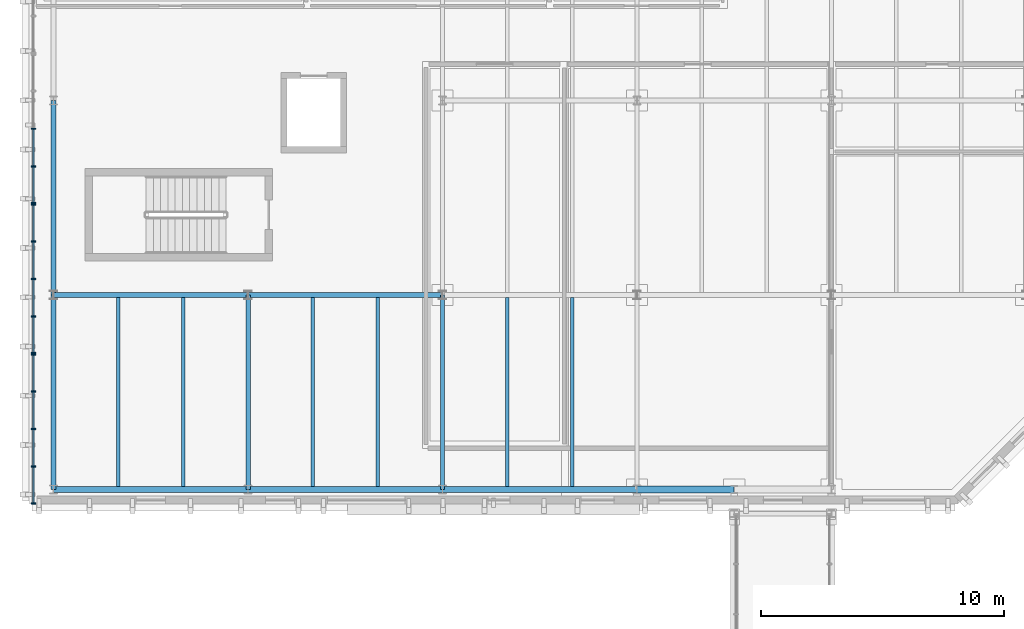
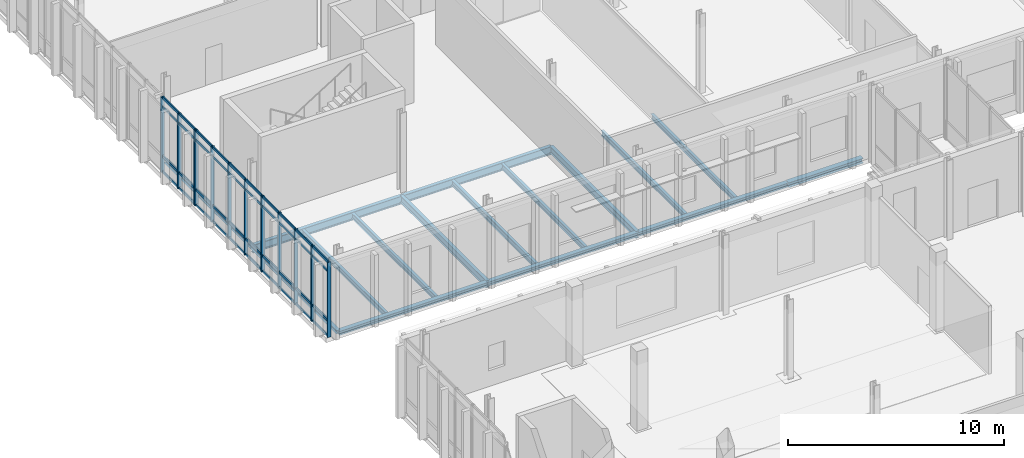
# One storey, part 37 of 100: 53 members, 16 beams, 3 elements without a shape of their own.
"""IFC4 building model written with IfcOpenShell, lengths in metres."""

from ifc_helpers import new_model, si_unit, direction, frame, origin, origin_2d, place, context, subcontext, project, spatial, rectangle, i_section, extrude, material, material_profile, profile_set, type_object, element, aggregate, save


model = new_model("IFC4")

# Units and contexts
model_context = context("Model", 3, precision=1e-05, world=origin(), true_north=direction((0.0, 1.0)))
body_context = subcontext(model_context, "Body", "Model", "MODEL_VIEW")
ifc_project = project(units=[si_unit("LENGTHUNIT", "METRE"), si_unit("AREAUNIT", "SQUARE_METRE"), si_unit("VOLUMEUNIT", "CUBIC_METRE"), si_unit("PLANEANGLEUNIT", "RADIAN"), si_unit("MASSUNIT", "GRAM", prefix="KILO")], contexts=[model_context])

# Site, building, storey
site_placement = place(None, origin())
site = spatial("IfcSite", under=ifc_project, at=site_placement, CompositionType="ELEMENT")
building_placement = place(site_placement, origin())
building = spatial("IfcBuilding", under=site, at=building_placement, Name="Cymarion Research Institute", CompositionType="ELEMENT")
storey_placement = place(building_placement, frame((0.0, 0.0, 9.300048828125)))
storey = spatial("IfcBuildingStorey", under=building, at=storey_placement, Name="L02", CompositionType="ELEMENT", Elevation=9.300048828125)

# Curtain wall, members
ifc_material_1 = material(Name="Anodised aluminium unitised curtain wall with Low-E glazing", Category="aluminium")
curtain_wall_type = type_object("IfcCurtainWallType", Name="UNITISED CURTAIN WALL CW22 6180X4250", PredefinedType="NOTDEFINED", material=ifc_material_1)
curtain_wall_1_placement = place(storey_placement, origin())
curtain_wall_1 = element("IfcCurtainWall", 1, at=curtain_wall_1_placement, inside=storey, type_object=curtain_wall_type, Name="L02 V5 unitised curtain wall CW22 #112", PredefinedType="NOTDEFINED")
ifc_material_2 = material(Name="Anodised aluminium framing", Category="aluminium")
ifc_material_profile_1 = material_profile(ifc_material_2, rectangle(XDim=0.06005859375, YDim=0.179931640625, at=origin_2d()), Name="ALU MULLION 60x180")
ifc_profile_set_1 = profile_set([ifc_material_profile_1], Name="Anodised aluminium framing")
member_type_1 = type_object("IfcMemberType", Name="CURTAIN WALL MULLION ML01 60X180", PredefinedType="MULLION", material=ifc_profile_set_1)
member_1_placement = place(storey_placement, frame((5.77001953125, 100.339111328125, 0.0), z_axis=(0.0, 0.0, 1.0), x_axis=(0.0, -1.0, 0.0)))
member_1 = element("IfcMember", 2, at=member_1_placement, type_object=member_type_1, Name="CW22 mullion 3", PredefinedType="MULLION", context=body_context, shape_type="SweptSolid", body=[
    extrude(rectangle(XDim=0.06005859375, YDim=0.179931640625, at=origin_2d()), origin(), (0.0, 0.0, 1.0), 4.25),
])
member_2_placement = place(storey_placement, frame((5.77001953125, 98.795166015625, 0.0), z_axis=(0.0, 0.0, 1.0), x_axis=(0.0, -1.0, 0.0)))
member_2 = element("IfcMember", 3, at=member_2_placement, type_object=member_type_1, Name="CW22 mullion 4", PredefinedType="MULLION", context=body_context, shape_type="SweptSolid", body=[
    extrude(rectangle(XDim=0.06005859375, YDim=0.179931640625, at=origin_2d()), origin(), (0.0, 0.0, 1.0), 4.25),
])
member_3_placement = place(storey_placement, frame((5.77001953125, 97.28125, 0.0), z_axis=(0.0, 0.0, 1.0), x_axis=(0.0, -1.0, 0.0)))
member_3 = element("IfcMember", 4, at=member_3_placement, type_object=member_type_1, Name="CW22 mullion 5", PredefinedType="MULLION", context=body_context, shape_type="SweptSolid", body=[
    extrude(rectangle(XDim=0.06005859375, YDim=0.179931640625, at=origin_2d()), origin(), (0.0, 0.0, 1.0), 4.25),
])

curtain_wall_2_placement = place(storey_placement, origin())
curtain_wall_2 = element("IfcCurtainWall", 5, at=curtain_wall_2_placement, inside=storey, type_object=curtain_wall_type, Name="L02 V5 unitised curtain wall CW22 #113", PredefinedType="NOTDEFINED")
member_4_placement = place(storey_placement, frame((5.77001953125, 97.22119140625, 0.0), z_axis=(0.0, 0.0, 1.0), x_axis=(0.0, -1.0, 0.0)))
member_4 = element("IfcMember", 6, at=member_4_placement, type_object=member_type_1, Name="CW22 mullion 1", PredefinedType="MULLION", context=body_context, shape_type="SweptSolid", body=[
    extrude(rectangle(XDim=0.06005859375, YDim=0.179931640625, at=origin_2d()), origin(), (0.0, 0.0, 1.0), 4.25),
])
member_5_placement = place(storey_placement, frame((5.77001953125, 95.707275390625, 0.0), z_axis=(0.0, 0.0, 1.0), x_axis=(0.0, -1.0, 0.0)))
member_5 = element("IfcMember", 7, at=member_5_placement, type_object=member_type_1, Name="CW22 mullion 2", PredefinedType="MULLION", context=body_context, shape_type="SweptSolid", body=[
    extrude(rectangle(XDim=0.06005859375, YDim=0.179931640625, at=origin_2d()), origin(), (0.0, 0.0, 1.0), 4.25),
])
member_6_placement = place(storey_placement, frame((5.77001953125, 94.163330078125, 0.0), z_axis=(0.0, 0.0, 1.0), x_axis=(0.0, -1.0, 0.0)))
member_6 = element("IfcMember", 8, at=member_6_placement, type_object=member_type_1, Name="CW22 mullion 3", PredefinedType="MULLION", context=body_context, shape_type="SweptSolid", body=[
    extrude(rectangle(XDim=0.06005859375, YDim=0.179931640625, at=origin_2d()), origin(), (0.0, 0.0, 1.0), 4.25),
])
member_7_placement = place(storey_placement, frame((5.77001953125, 92.619384765625, 0.0), z_axis=(0.0, 0.0, 1.0), x_axis=(0.0, -1.0, 0.0)))
member_7 = element("IfcMember", 9, at=member_7_placement, type_object=member_type_1, Name="CW22 mullion 4", PredefinedType="MULLION", context=body_context, shape_type="SweptSolid", body=[
    extrude(rectangle(XDim=0.06005859375, YDim=0.179931640625, at=origin_2d()), origin(), (0.0, 0.0, 1.0), 4.25),
])
member_8_placement = place(storey_placement, frame((5.77001953125, 91.105712890625, 0.0), z_axis=(0.0, 0.0, 1.0), x_axis=(0.0, -1.0, 0.0)))
member_8 = element("IfcMember", 10, at=member_8_placement, type_object=member_type_1, Name="CW22 mullion 5", PredefinedType="MULLION", context=body_context, shape_type="SweptSolid", body=[
    extrude(rectangle(XDim=0.06005859375, YDim=0.179931640625, at=origin_2d()), origin(), (0.0, 0.0, 1.0), 4.25),
])

curtain_wall_3_placement = place(storey_placement, origin())
curtain_wall_3 = element("IfcCurtainWall", 11, at=curtain_wall_3_placement, inside=storey, type_object=curtain_wall_type, Name="L02 V5 unitised curtain wall CW22 #114", PredefinedType="NOTDEFINED")
member_9_placement = place(storey_placement, frame((5.77001953125, 91.045654296875, 0.0), z_axis=(0.0, 0.0, 1.0), x_axis=(0.0, -1.0, 0.0)))
member_9 = element("IfcMember", 12, at=member_9_placement, type_object=member_type_1, Name="CW22 mullion 1", PredefinedType="MULLION", context=body_context, shape_type="SweptSolid", body=[
    extrude(rectangle(XDim=0.06005859375, YDim=0.179931640625, at=origin_2d()), origin(), (0.0, 0.0, 1.0), 4.25),
])
member_10_placement = place(storey_placement, frame((5.77001953125, 89.53173828125, 0.0), z_axis=(0.0, 0.0, 1.0), x_axis=(0.0, -1.0, 0.0)))
member_10 = element("IfcMember", 13, at=member_10_placement, type_object=member_type_1, Name="CW22 mullion 2", PredefinedType="MULLION", context=body_context, shape_type="SweptSolid", body=[
    extrude(rectangle(XDim=0.06005859375, YDim=0.179931640625, at=origin_2d()), origin(), (0.0, 0.0, 1.0), 4.25),
])
member_11_placement = place(storey_placement, frame((5.77001953125, 87.98779296875, 0.0), z_axis=(0.0, 0.0, 1.0), x_axis=(0.0, -1.0, 0.0)))
member_11 = element("IfcMember", 14, at=member_11_placement, type_object=member_type_1, Name="CW22 mullion 3", PredefinedType="MULLION", context=body_context, shape_type="SweptSolid", body=[
    extrude(rectangle(XDim=0.06005859375, YDim=0.179931640625, at=origin_2d()), origin(), (0.0, 0.0, 1.0), 4.25),
])
member_12_placement = place(storey_placement, frame((5.77001953125, 86.44384765625, 0.0), z_axis=(0.0, 0.0, 1.0), x_axis=(0.0, -1.0, 0.0)))
member_12 = element("IfcMember", 15, at=member_12_placement, type_object=member_type_1, Name="CW22 mullion 4", PredefinedType="MULLION", context=body_context, shape_type="SweptSolid", body=[
    extrude(rectangle(XDim=0.06005859375, YDim=0.179931640625, at=origin_2d()), origin(), (0.0, 0.0, 1.0), 4.25),
])
member_13_placement = place(storey_placement, frame((5.77001953125, 84.929931640625, 0.0), z_axis=(0.0, 0.0, 1.0), x_axis=(0.0, -1.0, 0.0)))
member_13 = element("IfcMember", 16, at=member_13_placement, type_object=member_type_1, Name="CW22 mullion 5", PredefinedType="MULLION", context=body_context, shape_type="SweptSolid", body=[
    extrude(rectangle(XDim=0.06005859375, YDim=0.179931640625, at=origin_2d()), origin(), (0.0, 0.0, 1.0), 4.25),
])

# Member
ifc_material_profile_2 = material_profile(ifc_material_2, rectangle(XDim=0.06005859375, YDim=0.14990234375, at=origin_2d()), Name="ALU TRANSOM 60x150")
ifc_profile_set_2 = profile_set([ifc_material_profile_2], Name="Anodised aluminium framing")
member_type_2 = type_object("IfcMemberType", Name="CURTAIN WALL TRANSOM TR01 60X150", PredefinedType="USERDEFINED", material=ifc_profile_set_2)
member_14_placement = place(storey_placement, frame((5.77001953125, 100.30908203125, 0.030029296875), z_axis=(0.0, -1.0, 0.0), x_axis=(1.0, 0.0, 0.0)))
member_14 = element("IfcMember", 17, at=member_14_placement, type_object=member_type_2, Name="CW22 transom 3.1", ObjectType="TRANSOM", PredefinedType="USERDEFINED", context=body_context, shape_type="SweptSolid", body=[
    extrude(rectangle(XDim=0.06005859375, YDim=0.14990234375, at=origin_2d()), origin(), (0.0, 0.0, 1.0), 1.48388671875),
])

member_15_placement = place(storey_placement, frame((5.77001953125, 100.30908203125, 0.89990234375), z_axis=(0.0, -1.0, 0.0), x_axis=(1.0, 0.0, 0.0)))
member_15 = element("IfcMember", 18, at=member_15_placement, type_object=member_type_2, Name="CW22 transom 3.2", ObjectType="TRANSOM", PredefinedType="USERDEFINED", context=body_context, shape_type="SweptSolid", body=[
    extrude(rectangle(XDim=0.06005859375, YDim=0.14990234375, at=origin_2d()), origin(), (0.0, 0.0, 1.0), 1.48388671875),
])

member_16_placement = place(storey_placement, frame((5.77001953125, 100.30908203125, 3.699951171875), z_axis=(0.0, -1.0, 0.0), x_axis=(1.0, 0.0, 0.0)))
member_16 = element("IfcMember", 19, at=member_16_placement, type_object=member_type_2, Name="CW22 transom 3.3", ObjectType="TRANSOM", PredefinedType="USERDEFINED", context=body_context, shape_type="SweptSolid", body=[
    extrude(rectangle(XDim=0.06005859375, YDim=0.14990234375, at=origin_2d()), origin(), (0.0, 0.0, 1.0), 1.48388671875),
])

member_17_placement = place(storey_placement, frame((5.77001953125, 100.30908203125, 4.219970703125), z_axis=(0.0, -1.0, 0.0), x_axis=(1.0, 0.0, 0.0)))
member_17 = element("IfcMember", 20, at=member_17_placement, type_object=member_type_2, Name="CW22 transom 3.4", ObjectType="TRANSOM", PredefinedType="USERDEFINED", context=body_context, shape_type="SweptSolid", body=[
    extrude(rectangle(XDim=0.06005859375, YDim=0.14990234375, at=origin_2d()), origin(), (0.0, 0.0, 1.0), 1.48388671875),
])

member_18_placement = place(storey_placement, frame((5.77001953125, 98.76513671875, 0.030029296875), z_axis=(0.0, -1.0, 0.0), x_axis=(1.0, 0.0, 0.0)))
member_18 = element("IfcMember", 21, at=member_18_placement, type_object=member_type_2, Name="CW22 transom 4.1", ObjectType="TRANSOM", PredefinedType="USERDEFINED", context=body_context, shape_type="SweptSolid", body=[
    extrude(rectangle(XDim=0.06005859375, YDim=0.14990234375, at=origin_2d()), origin(), (0.0, 0.0, 1.0), 1.453857421875),
])

member_19_placement = place(storey_placement, frame((5.77001953125, 98.76513671875, 0.89990234375), z_axis=(0.0, -1.0, 0.0), x_axis=(1.0, 0.0, 0.0)))
member_19 = element("IfcMember", 22, at=member_19_placement, type_object=member_type_2, Name="CW22 transom 4.2", ObjectType="TRANSOM", PredefinedType="USERDEFINED", context=body_context, shape_type="SweptSolid", body=[
    extrude(rectangle(XDim=0.06005859375, YDim=0.14990234375, at=origin_2d()), origin(), (0.0, 0.0, 1.0), 1.453857421875),
])

member_20_placement = place(storey_placement, frame((5.77001953125, 98.76513671875, 3.699951171875), z_axis=(0.0, -1.0, 0.0), x_axis=(1.0, 0.0, 0.0)))
member_20 = element("IfcMember", 23, at=member_20_placement, type_object=member_type_2, Name="CW22 transom 4.3", ObjectType="TRANSOM", PredefinedType="USERDEFINED", context=body_context, shape_type="SweptSolid", body=[
    extrude(rectangle(XDim=0.06005859375, YDim=0.14990234375, at=origin_2d()), origin(), (0.0, 0.0, 1.0), 1.453857421875),
])

member_21_placement = place(storey_placement, frame((5.77001953125, 98.76513671875, 4.219970703125), z_axis=(0.0, -1.0, 0.0), x_axis=(1.0, 0.0, 0.0)))
member_21 = element("IfcMember", 24, at=member_21_placement, type_object=member_type_2, Name="CW22 transom 4.4", ObjectType="TRANSOM", PredefinedType="USERDEFINED", context=body_context, shape_type="SweptSolid", body=[
    extrude(rectangle(XDim=0.06005859375, YDim=0.14990234375, at=origin_2d()), origin(), (0.0, 0.0, 1.0), 1.453857421875),
])

aggregate(curtain_wall_1, [member_1, member_2, member_3, member_14, member_15, member_16, member_17, member_18, member_19, member_20, member_21])

member_22_placement = place(storey_placement, frame((5.77001953125, 97.191162109375, 0.030029296875), z_axis=(0.0, -1.0, 0.0), x_axis=(1.0, 0.0, 0.0)))
member_22 = element("IfcMember", 25, at=member_22_placement, type_object=member_type_2, Name="CW22 transom 1.1", ObjectType="TRANSOM", PredefinedType="USERDEFINED", context=body_context, shape_type="SweptSolid", body=[
    extrude(rectangle(XDim=0.06005859375, YDim=0.14990234375, at=origin_2d()), origin(), (0.0, 0.0, 1.0), 1.453857421875),
])

member_23_placement = place(storey_placement, frame((5.77001953125, 97.191162109375, 0.89990234375), z_axis=(0.0, -1.0, 0.0), x_axis=(1.0, 0.0, 0.0)))
member_23 = element("IfcMember", 26, at=member_23_placement, type_object=member_type_2, Name="CW22 transom 1.2", ObjectType="TRANSOM", PredefinedType="USERDEFINED", context=body_context, shape_type="SweptSolid", body=[
    extrude(rectangle(XDim=0.06005859375, YDim=0.14990234375, at=origin_2d()), origin(), (0.0, 0.0, 1.0), 1.453857421875),
])

member_24_placement = place(storey_placement, frame((5.77001953125, 97.191162109375, 3.699951171875), z_axis=(0.0, -1.0, 0.0), x_axis=(1.0, 0.0, 0.0)))
member_24 = element("IfcMember", 27, at=member_24_placement, type_object=member_type_2, Name="CW22 transom 1.3", ObjectType="TRANSOM", PredefinedType="USERDEFINED", context=body_context, shape_type="SweptSolid", body=[
    extrude(rectangle(XDim=0.06005859375, YDim=0.14990234375, at=origin_2d()), origin(), (0.0, 0.0, 1.0), 1.453857421875),
])

member_25_placement = place(storey_placement, frame((5.77001953125, 97.191162109375, 4.219970703125), z_axis=(0.0, -1.0, 0.0), x_axis=(1.0, 0.0, 0.0)))
member_25 = element("IfcMember", 28, at=member_25_placement, type_object=member_type_2, Name="CW22 transom 1.4", ObjectType="TRANSOM", PredefinedType="USERDEFINED", context=body_context, shape_type="SweptSolid", body=[
    extrude(rectangle(XDim=0.06005859375, YDim=0.14990234375, at=origin_2d()), origin(), (0.0, 0.0, 1.0), 1.453857421875),
])

member_26_placement = place(storey_placement, frame((5.77001953125, 95.67724609375, 0.030029296875), z_axis=(0.0, -1.0, 0.0), x_axis=(1.0, 0.0, 0.0)))
member_26 = element("IfcMember", 29, at=member_26_placement, type_object=member_type_2, Name="CW22 transom 2.1", ObjectType="TRANSOM", PredefinedType="USERDEFINED", context=body_context, shape_type="SweptSolid", body=[
    extrude(rectangle(XDim=0.06005859375, YDim=0.14990234375, at=origin_2d()), origin(), (0.0, 0.0, 1.0), 1.48388671875),
])

member_27_placement = place(storey_placement, frame((5.77001953125, 95.67724609375, 0.89990234375), z_axis=(0.0, -1.0, 0.0), x_axis=(1.0, 0.0, 0.0)))
member_27 = element("IfcMember", 30, at=member_27_placement, type_object=member_type_2, Name="CW22 transom 2.2", ObjectType="TRANSOM", PredefinedType="USERDEFINED", context=body_context, shape_type="SweptSolid", body=[
    extrude(rectangle(XDim=0.06005859375, YDim=0.14990234375, at=origin_2d()), origin(), (0.0, 0.0, 1.0), 1.48388671875),
])

member_28_placement = place(storey_placement, frame((5.77001953125, 95.67724609375, 3.699951171875), z_axis=(0.0, -1.0, 0.0), x_axis=(1.0, 0.0, 0.0)))
member_28 = element("IfcMember", 31, at=member_28_placement, type_object=member_type_2, Name="CW22 transom 2.3", ObjectType="TRANSOM", PredefinedType="USERDEFINED", context=body_context, shape_type="SweptSolid", body=[
    extrude(rectangle(XDim=0.06005859375, YDim=0.14990234375, at=origin_2d()), origin(), (0.0, 0.0, 1.0), 1.48388671875),
])

member_29_placement = place(storey_placement, frame((5.77001953125, 95.67724609375, 4.219970703125), z_axis=(0.0, -1.0, 0.0), x_axis=(1.0, 0.0, 0.0)))
member_29 = element("IfcMember", 32, at=member_29_placement, type_object=member_type_2, Name="CW22 transom 2.4", ObjectType="TRANSOM", PredefinedType="USERDEFINED", context=body_context, shape_type="SweptSolid", body=[
    extrude(rectangle(XDim=0.06005859375, YDim=0.14990234375, at=origin_2d()), origin(), (0.0, 0.0, 1.0), 1.48388671875),
])

member_30_placement = place(storey_placement, frame((5.77001953125, 94.13330078125, 0.030029296875), z_axis=(0.0, -1.0, 0.0), x_axis=(1.0, 0.0, 0.0)))
member_30 = element("IfcMember", 33, at=member_30_placement, type_object=member_type_2, Name="CW22 transom 3.1", ObjectType="TRANSOM", PredefinedType="USERDEFINED", context=body_context, shape_type="SweptSolid", body=[
    extrude(rectangle(XDim=0.06005859375, YDim=0.14990234375, at=origin_2d()), origin(), (0.0, 0.0, 1.0), 1.48388671875),
])

member_31_placement = place(storey_placement, frame((5.77001953125, 94.13330078125, 0.89990234375), z_axis=(0.0, -1.0, 0.0), x_axis=(1.0, 0.0, 0.0)))
member_31 = element("IfcMember", 34, at=member_31_placement, type_object=member_type_2, Name="CW22 transom 3.2", ObjectType="TRANSOM", PredefinedType="USERDEFINED", context=body_context, shape_type="SweptSolid", body=[
    extrude(rectangle(XDim=0.06005859375, YDim=0.14990234375, at=origin_2d()), origin(), (0.0, 0.0, 1.0), 1.48388671875),
])

member_32_placement = place(storey_placement, frame((5.77001953125, 94.13330078125, 3.699951171875), z_axis=(0.0, -1.0, 0.0), x_axis=(1.0, 0.0, 0.0)))
member_32 = element("IfcMember", 35, at=member_32_placement, type_object=member_type_2, Name="CW22 transom 3.3", ObjectType="TRANSOM", PredefinedType="USERDEFINED", context=body_context, shape_type="SweptSolid", body=[
    extrude(rectangle(XDim=0.06005859375, YDim=0.14990234375, at=origin_2d()), origin(), (0.0, 0.0, 1.0), 1.48388671875),
])

member_33_placement = place(storey_placement, frame((5.77001953125, 94.13330078125, 4.219970703125), z_axis=(0.0, -1.0, 0.0), x_axis=(1.0, 0.0, 0.0)))
member_33 = element("IfcMember", 36, at=member_33_placement, type_object=member_type_2, Name="CW22 transom 3.4", ObjectType="TRANSOM", PredefinedType="USERDEFINED", context=body_context, shape_type="SweptSolid", body=[
    extrude(rectangle(XDim=0.06005859375, YDim=0.14990234375, at=origin_2d()), origin(), (0.0, 0.0, 1.0), 1.48388671875),
])

member_34_placement = place(storey_placement, frame((5.77001953125, 92.589599609375, 0.030029296875), z_axis=(0.0, -1.0, 0.0), x_axis=(1.0, 0.0, 0.0)))
member_34 = element("IfcMember", 37, at=member_34_placement, type_object=member_type_2, Name="CW22 transom 4.1", ObjectType="TRANSOM", PredefinedType="USERDEFINED", context=body_context, shape_type="SweptSolid", body=[
    extrude(rectangle(XDim=0.06005859375, YDim=0.14990234375, at=origin_2d()), origin(), (0.0, 0.0, 1.0), 1.4541015625),
])

member_35_placement = place(storey_placement, frame((5.77001953125, 92.589599609375, 0.89990234375), z_axis=(0.0, -1.0, 0.0), x_axis=(1.0, 0.0, 0.0)))
member_35 = element("IfcMember", 38, at=member_35_placement, type_object=member_type_2, Name="CW22 transom 4.2", ObjectType="TRANSOM", PredefinedType="USERDEFINED", context=body_context, shape_type="SweptSolid", body=[
    extrude(rectangle(XDim=0.06005859375, YDim=0.14990234375, at=origin_2d()), origin(), (0.0, 0.0, 1.0), 1.4541015625),
])

member_36_placement = place(storey_placement, frame((5.77001953125, 92.589599609375, 3.699951171875), z_axis=(0.0, -1.0, 0.0), x_axis=(1.0, 0.0, 0.0)))
member_36 = element("IfcMember", 39, at=member_36_placement, type_object=member_type_2, Name="CW22 transom 4.3", ObjectType="TRANSOM", PredefinedType="USERDEFINED", context=body_context, shape_type="SweptSolid", body=[
    extrude(rectangle(XDim=0.06005859375, YDim=0.14990234375, at=origin_2d()), origin(), (0.0, 0.0, 1.0), 1.4541015625),
])

member_37_placement = place(storey_placement, frame((5.77001953125, 92.589599609375, 4.219970703125), z_axis=(0.0, -1.0, 0.0), x_axis=(1.0, 0.0, 0.0)))
member_37 = element("IfcMember", 40, at=member_37_placement, type_object=member_type_2, Name="CW22 transom 4.4", ObjectType="TRANSOM", PredefinedType="USERDEFINED", context=body_context, shape_type="SweptSolid", body=[
    extrude(rectangle(XDim=0.06005859375, YDim=0.14990234375, at=origin_2d()), origin(), (0.0, 0.0, 1.0), 1.4541015625),
])

aggregate(curtain_wall_2, [member_4, member_5, member_6, member_7, member_8, member_22, member_23, member_24, member_25, member_26, member_27, member_28, member_29, member_30, member_31, member_32, member_33, member_34, member_35, member_36, member_37])

member_38_placement = place(storey_placement, frame((5.77001953125, 91.015625, 0.030029296875), z_axis=(0.0, -1.0, 0.0), x_axis=(1.0, 0.0, 0.0)))
member_38 = element("IfcMember", 41, at=member_38_placement, type_object=member_type_2, Name="CW22 transom 1.1", ObjectType="TRANSOM", PredefinedType="USERDEFINED", context=body_context, shape_type="SweptSolid", body=[
    extrude(rectangle(XDim=0.06005859375, YDim=0.14990234375, at=origin_2d()), origin(), (0.0, 0.0, 1.0), 1.453857421875),
])

member_39_placement = place(storey_placement, frame((5.77001953125, 91.015625, 0.89990234375), z_axis=(0.0, -1.0, 0.0), x_axis=(1.0, 0.0, 0.0)))
member_39 = element("IfcMember", 42, at=member_39_placement, type_object=member_type_2, Name="CW22 transom 1.2", ObjectType="TRANSOM", PredefinedType="USERDEFINED", context=body_context, shape_type="SweptSolid", body=[
    extrude(rectangle(XDim=0.06005859375, YDim=0.14990234375, at=origin_2d()), origin(), (0.0, 0.0, 1.0), 1.453857421875),
])

member_40_placement = place(storey_placement, frame((5.77001953125, 91.015625, 3.699951171875), z_axis=(0.0, -1.0, 0.0), x_axis=(1.0, 0.0, 0.0)))
member_40 = element("IfcMember", 43, at=member_40_placement, type_object=member_type_2, Name="CW22 transom 1.3", ObjectType="TRANSOM", PredefinedType="USERDEFINED", context=body_context, shape_type="SweptSolid", body=[
    extrude(rectangle(XDim=0.06005859375, YDim=0.14990234375, at=origin_2d()), origin(), (0.0, 0.0, 1.0), 1.453857421875),
])

member_41_placement = place(storey_placement, frame((5.77001953125, 91.015625, 4.219970703125), z_axis=(0.0, -1.0, 0.0), x_axis=(1.0, 0.0, 0.0)))
member_41 = element("IfcMember", 44, at=member_41_placement, type_object=member_type_2, Name="CW22 transom 1.4", ObjectType="TRANSOM", PredefinedType="USERDEFINED", context=body_context, shape_type="SweptSolid", body=[
    extrude(rectangle(XDim=0.06005859375, YDim=0.14990234375, at=origin_2d()), origin(), (0.0, 0.0, 1.0), 1.453857421875),
])

member_42_placement = place(storey_placement, frame((5.77001953125, 89.501708984375, 0.030029296875), z_axis=(0.0, -1.0, 0.0), x_axis=(1.0, 0.0, 0.0)))
member_42 = element("IfcMember", 45, at=member_42_placement, type_object=member_type_2, Name="CW22 transom 2.1", ObjectType="TRANSOM", PredefinedType="USERDEFINED", context=body_context, shape_type="SweptSolid", body=[
    extrude(rectangle(XDim=0.06005859375, YDim=0.14990234375, at=origin_2d()), origin(), (0.0, 0.0, 1.0), 1.48388671875),
])

member_43_placement = place(storey_placement, frame((5.77001953125, 89.501708984375, 0.89990234375), z_axis=(0.0, -1.0, 0.0), x_axis=(1.0, 0.0, 0.0)))
member_43 = element("IfcMember", 46, at=member_43_placement, type_object=member_type_2, Name="CW22 transom 2.2", ObjectType="TRANSOM", PredefinedType="USERDEFINED", context=body_context, shape_type="SweptSolid", body=[
    extrude(rectangle(XDim=0.06005859375, YDim=0.14990234375, at=origin_2d()), origin(), (0.0, 0.0, 1.0), 1.48388671875),
])

member_44_placement = place(storey_placement, frame((5.77001953125, 89.501708984375, 3.699951171875), z_axis=(0.0, -1.0, 0.0), x_axis=(1.0, 0.0, 0.0)))
member_44 = element("IfcMember", 47, at=member_44_placement, type_object=member_type_2, Name="CW22 transom 2.3", ObjectType="TRANSOM", PredefinedType="USERDEFINED", context=body_context, shape_type="SweptSolid", body=[
    extrude(rectangle(XDim=0.06005859375, YDim=0.14990234375, at=origin_2d()), origin(), (0.0, 0.0, 1.0), 1.48388671875),
])

member_45_placement = place(storey_placement, frame((5.77001953125, 89.501708984375, 4.219970703125), z_axis=(0.0, -1.0, 0.0), x_axis=(1.0, 0.0, 0.0)))
member_45 = element("IfcMember", 48, at=member_45_placement, type_object=member_type_2, Name="CW22 transom 2.4", ObjectType="TRANSOM", PredefinedType="USERDEFINED", context=body_context, shape_type="SweptSolid", body=[
    extrude(rectangle(XDim=0.06005859375, YDim=0.14990234375, at=origin_2d()), origin(), (0.0, 0.0, 1.0), 1.48388671875),
])

member_46_placement = place(storey_placement, frame((5.77001953125, 87.957763671875, 0.030029296875), z_axis=(0.0, -1.0, 0.0), x_axis=(1.0, 0.0, 0.0)))
member_46 = element("IfcMember", 49, at=member_46_placement, type_object=member_type_2, Name="CW22 transom 3.1", ObjectType="TRANSOM", PredefinedType="USERDEFINED", context=body_context, shape_type="SweptSolid", body=[
    extrude(rectangle(XDim=0.06005859375, YDim=0.14990234375, at=origin_2d()), origin(), (0.0, 0.0, 1.0), 1.48388671875),
])

member_47_placement = place(storey_placement, frame((5.77001953125, 87.957763671875, 0.89990234375), z_axis=(0.0, -1.0, 0.0), x_axis=(1.0, 0.0, 0.0)))
member_47 = element("IfcMember", 50, at=member_47_placement, type_object=member_type_2, Name="CW22 transom 3.2", ObjectType="TRANSOM", PredefinedType="USERDEFINED", context=body_context, shape_type="SweptSolid", body=[
    extrude(rectangle(XDim=0.06005859375, YDim=0.14990234375, at=origin_2d()), origin(), (0.0, 0.0, 1.0), 1.48388671875),
])

member_48_placement = place(storey_placement, frame((5.77001953125, 87.957763671875, 3.699951171875), z_axis=(0.0, -1.0, 0.0), x_axis=(1.0, 0.0, 0.0)))
member_48 = element("IfcMember", 51, at=member_48_placement, type_object=member_type_2, Name="CW22 transom 3.3", ObjectType="TRANSOM", PredefinedType="USERDEFINED", context=body_context, shape_type="SweptSolid", body=[
    extrude(rectangle(XDim=0.06005859375, YDim=0.14990234375, at=origin_2d()), origin(), (0.0, 0.0, 1.0), 1.48388671875),
])

member_49_placement = place(storey_placement, frame((5.77001953125, 87.957763671875, 4.219970703125), z_axis=(0.0, -1.0, 0.0), x_axis=(1.0, 0.0, 0.0)))
member_49 = element("IfcMember", 52, at=member_49_placement, type_object=member_type_2, Name="CW22 transom 3.4", ObjectType="TRANSOM", PredefinedType="USERDEFINED", context=body_context, shape_type="SweptSolid", body=[
    extrude(rectangle(XDim=0.06005859375, YDim=0.14990234375, at=origin_2d()), origin(), (0.0, 0.0, 1.0), 1.48388671875),
])

member_50_placement = place(storey_placement, frame((5.77001953125, 86.413818359375, 0.030029296875), z_axis=(0.0, -1.0, 0.0), x_axis=(1.0, 0.0, 0.0)))
member_50 = element("IfcMember", 53, at=member_50_placement, type_object=member_type_2, Name="CW22 transom 4.1", ObjectType="TRANSOM", PredefinedType="USERDEFINED", context=body_context, shape_type="SweptSolid", body=[
    extrude(rectangle(XDim=0.06005859375, YDim=0.14990234375, at=origin_2d()), origin(), (0.0, 0.0, 1.0), 1.453857421875),
])

member_51_placement = place(storey_placement, frame((5.77001953125, 86.413818359375, 0.89990234375), z_axis=(0.0, -1.0, 0.0), x_axis=(1.0, 0.0, 0.0)))
member_51 = element("IfcMember", 54, at=member_51_placement, type_object=member_type_2, Name="CW22 transom 4.2", ObjectType="TRANSOM", PredefinedType="USERDEFINED", context=body_context, shape_type="SweptSolid", body=[
    extrude(rectangle(XDim=0.06005859375, YDim=0.14990234375, at=origin_2d()), origin(), (0.0, 0.0, 1.0), 1.453857421875),
])

member_52_placement = place(storey_placement, frame((5.77001953125, 86.413818359375, 3.699951171875), z_axis=(0.0, -1.0, 0.0), x_axis=(1.0, 0.0, 0.0)))
member_52 = element("IfcMember", 55, at=member_52_placement, type_object=member_type_2, Name="CW22 transom 4.3", ObjectType="TRANSOM", PredefinedType="USERDEFINED", context=body_context, shape_type="SweptSolid", body=[
    extrude(rectangle(XDim=0.06005859375, YDim=0.14990234375, at=origin_2d()), origin(), (0.0, 0.0, 1.0), 1.453857421875),
])

member_53_placement = place(storey_placement, frame((5.77001953125, 86.413818359375, 4.219970703125), z_axis=(0.0, -1.0, 0.0), x_axis=(1.0, 0.0, 0.0)))
member_53 = element("IfcMember", 56, at=member_53_placement, type_object=member_type_2, Name="CW22 transom 4.4", ObjectType="TRANSOM", PredefinedType="USERDEFINED", context=body_context, shape_type="SweptSolid", body=[
    extrude(rectangle(XDim=0.06005859375, YDim=0.14990234375, at=origin_2d()), origin(), (0.0, 0.0, 1.0), 1.453857421875),
])

aggregate(curtain_wall_3, [member_9, member_10, member_11, member_12, member_13, member_38, member_39, member_40, member_41, member_42, member_43, member_44, member_45, member_46, member_47, member_48, member_49, member_50, member_51, member_52, member_53])

# Beams
ifc_material_3 = material(Name="Steel S355", Category="steel")
ifc_material_profile_3 = material_profile(ifc_material_3, i_section(OverallWidth=0.18994140625, OverallDepth=0.449951171875, WebThickness=0.009521484375, FlangeThickness=0.0146484375, FilletRadius=0.02099609375, at=origin_2d()), Name="IPE 450")
ifc_profile_set_3 = profile_set([ifc_material_profile_3], Name="Steel S355")
beam_type_1 = type_object("IfcBeamType", Name="PRIMARY GIRDER BM04 IPE 450", PredefinedType="BEAM", material=ifc_profile_set_3)
for number, where, z_axis, x_axis, name in (
    (57, (6.60595703125, 93.5, -0.47509765625), (1.0, 0.0, 0.0), (0.0, 1.0, 0.0), "L02 V5 girder BM04 #1104"),
    (58, (14.60595703125, 93.5, -0.47509765625), (1.0, 0.0, 0.0), (0.0, 1.0, 0.0), "L02 V5 girder BM04 #1105"),
):
    element("IfcBeam", number, at=place(storey_placement, frame(where, z_axis=z_axis, x_axis=x_axis)), inside=storey, type_object=beam_type_1, Name=name, PredefinedType="BEAM", context=body_context, shape_type="SweptSolid", body=[
        extrude(i_section(OverallWidth=0.18994140625, OverallDepth=0.449951171875, WebThickness=0.009521484375, FlangeThickness=0.0146484375, FilletRadius=0.02099609375, at=origin_2d()), origin(), (0.0, 0.0, 1.0), 7.988037109375),
    ])
ifc_material_profile_4 = material_profile(ifc_material_3, i_section(OverallWidth=0.179931640625, OverallDepth=0.39990234375, WebThickness=0.008544921875, FlangeThickness=0.013427734375, FilletRadius=0.02099609375, at=origin_2d()), Name="IPE 400")
ifc_profile_set_4 = profile_set([ifc_material_profile_4], Name="Steel S355")
beam_type_2 = type_object("IfcBeamType", Name="PRIMARY GIRDER BM05 IPE 400", PredefinedType="BEAM", material=ifc_profile_set_4)
for number, where, z_axis, x_axis, name in (
    (59, (14.60009765625, 85.506103515625, -0.449951171875), (0.0, 1.0, 0.0), (-1.0, 0.0, 0.0), "L02 V5 girder BM05 #1126"),
    (60, (22.60009765625, 85.506103515625, -0.449951171875), (0.0, 1.0, 0.0), (-1.0, 0.0, 0.0), "L02 V5 girder BM05 #1128"),
):
    element("IfcBeam", number, at=place(storey_placement, frame(where, z_axis=z_axis, x_axis=x_axis)), inside=storey, type_object=beam_type_2, Name=name, PredefinedType="BEAM", context=body_context, shape_type="SweptSolid", body=[
        extrude(i_section(OverallWidth=0.179931640625, OverallDepth=0.39990234375, WebThickness=0.008544921875, FlangeThickness=0.013427734375, FilletRadius=0.02099609375, at=origin_2d()), origin(), (0.0, 0.0, 1.0), 7.98779296875),
    ])
ifc_material_profile_5 = material_profile(ifc_material_3, i_section(OverallWidth=0.14990234375, OverallDepth=0.300048828125, WebThickness=0.007080078125, FlangeThickness=0.0107421875, FilletRadius=0.014892578125, at=origin_2d()), Name="IPE 300")
ifc_profile_set_5 = profile_set([ifc_material_profile_5], Name="Steel S355")
beam_type_3 = type_object("IfcBeamType", Name="SECONDARY JOIST JS02 IPE 300", PredefinedType="JOIST", material=ifc_profile_set_5)
for number, where, z_axis, x_axis, name in (
    (61, (9.2666015625, 85.6240234375, -0.400146484375), (0.0, 1.0, 0.0), (-1.0, 0.0, 0.0), "L02 V5 secondary joist JS02 #1142"),
    (62, (11.933349609375, 85.6240234375, -0.400146484375), (0.0, 1.0, 0.0), (-1.0, 0.0, 0.0), "L02 V5 secondary joist JS02 #1143"),
    (63, (17.2666015625, 85.6240234375, -0.400146484375), (0.0, 1.0, 0.0), (-1.0, 0.0, 0.0), "L02 V5 secondary joist JS02 #1144"),
    (64, (19.933349609375, 85.6240234375, -0.400146484375), (0.0, 1.0, 0.0), (-1.0, 0.0, 0.0), "L02 V5 secondary joist JS02 #1145"),
    (65, (25.2666015625, 85.6240234375, -0.400146484375), (0.0, 1.0, 0.0), (-1.0, 0.0, 0.0), "L02 V5 secondary joist JS02 #1146"),
    (66, (27.933349609375, 85.6240234375, -0.400146484375), (0.0, 1.0, 0.0), (-1.0, 0.0, 0.0), "L02 V5 secondary joist JS02 #1147"),
):
    element("IfcBeam", number, at=place(storey_placement, frame(where, z_axis=z_axis, x_axis=x_axis)), inside=storey, type_object=beam_type_3, Name=name, PredefinedType="JOIST", context=body_context, shape_type="SweptSolid", body=[
        extrude(i_section(OverallWidth=0.14990234375, OverallDepth=0.300048828125, WebThickness=0.007080078125, FlangeThickness=0.0107421875, FilletRadius=0.014892578125, at=origin_2d()), origin(), (0.0, 0.0, 1.0), 7.77685546875),
    ])
ifc_material_profile_6 = material_profile(ifc_material_3, i_section(OverallWidth=0.280029296875, OverallDepth=0.27001953125, WebThickness=0.008056640625, FlangeThickness=0.012939453125, FilletRadius=0.02392578125, at=origin_2d()), Name="HEA 280")
ifc_profile_set_6 = profile_set([ifc_material_profile_6], Name="Steel S355")
beam_type_4 = type_object("IfcBeamType", Name="SPANDREL BEAM SPB02 HEA 280", PredefinedType="SPANDREL", material=ifc_profile_set_6)
beam_placement = place(storey_placement, frame((30.60595703125, 85.5, -0.385009765625), z_axis=(1.0, 0.0, 0.0), x_axis=(0.0, 1.0, 0.0)))
element("IfcBeam", 67, at=beam_placement, inside=storey, type_object=beam_type_4, Name="L02 V5 girder SPB02 #1102", PredefinedType="SPANDREL", context=body_context, shape_type="SweptSolid", body=[
    extrude(i_section(OverallWidth=0.280029296875, OverallDepth=0.27001953125, WebThickness=0.008056640625, FlangeThickness=0.012939453125, FilletRadius=0.02392578125, at=origin_2d()), origin(), (0.0, 0.0, 1.0), 3.988037109375),
])
ifc_material_profile_7 = material_profile(ifc_material_3, i_section(OverallWidth=0.239990234375, OverallDepth=0.22998046875, WebThickness=0.007568359375, FlangeThickness=0.011962890625, FilletRadius=0.02099609375, at=origin_2d()), Name="HEA 240")
ifc_profile_set_7 = profile_set([ifc_material_profile_7], Name="Steel S355")
beam_type_5 = type_object("IfcBeamType", Name="SPANDREL BEAM SPB03 HEA 240", PredefinedType="SPANDREL", material=ifc_profile_set_7)
for number, where, z_axis, x_axis, name in (
    (68, (6.60595703125, 85.5, -0.364990234375), (1.0, 0.0, 0.0), (0.0, 1.0, 0.0), "L02 V5 girder SPB03 #1099"),
    (69, (14.60595703125, 85.5, -0.364990234375), (1.0, 0.0, 0.0), (0.0, 1.0, 0.0), "L02 V5 girder SPB03 #1100"),
    (70, (22.60595703125, 85.5, -0.364990234375), (1.0, 0.0, 0.0), (0.0, 1.0, 0.0), "L02 V5 girder SPB03 #1101"),
):
    element("IfcBeam", number, at=place(storey_placement, frame(where, z_axis=z_axis, x_axis=x_axis)), inside=storey, type_object=beam_type_5, Name=name, PredefinedType="SPANDREL", context=body_context, shape_type="SweptSolid", body=[
        extrude(i_section(OverallWidth=0.239990234375, OverallDepth=0.22998046875, WebThickness=0.007568359375, FlangeThickness=0.011962890625, FilletRadius=0.02099609375, at=origin_2d()), origin(), (0.0, 0.0, 1.0), 7.988037109375),
    ])
ifc_material_profile_8 = material_profile(ifc_material_3, i_section(OverallWidth=0.199951171875, OverallDepth=0.18994140625, WebThickness=0.006591796875, FlangeThickness=0.010009765625, FilletRadius=0.01806640625, at=origin_2d()), Name="HEA 200")
ifc_profile_set_8 = profile_set([ifc_material_profile_8], Name="Steel S355")
beam_type_6 = type_object("IfcBeamType", Name="SPANDREL BEAM SPB04 HEA 200", PredefinedType="SPANDREL", material=ifc_profile_set_8)
for number, where, z_axis, x_axis, name in (
    (71, (6.60009765625, 85.506103515625, -0.344970703125), (0.0, 1.0, 0.0), (-1.0, 0.0, 0.0), "L02 V5 girder SPB04 #1122"),
    (72, (6.60009765625, 93.506103515625, -0.344970703125), (0.0, 1.0, 0.0), (-1.0, 0.0, 0.0), "L02 V5 girder SPB04 #1123"),
):
    element("IfcBeam", number, at=place(storey_placement, frame(where, z_axis=z_axis, x_axis=x_axis)), inside=storey, type_object=beam_type_6, Name=name, PredefinedType="SPANDREL", context=body_context, shape_type="SweptSolid", body=[
        extrude(i_section(OverallWidth=0.199951171875, OverallDepth=0.18994140625, WebThickness=0.006591796875, FlangeThickness=0.010009765625, FilletRadius=0.01806640625, at=origin_2d()), origin(), (0.0, 0.0, 1.0), 7.98779296875),
    ])

save(model, "model.ifc")
